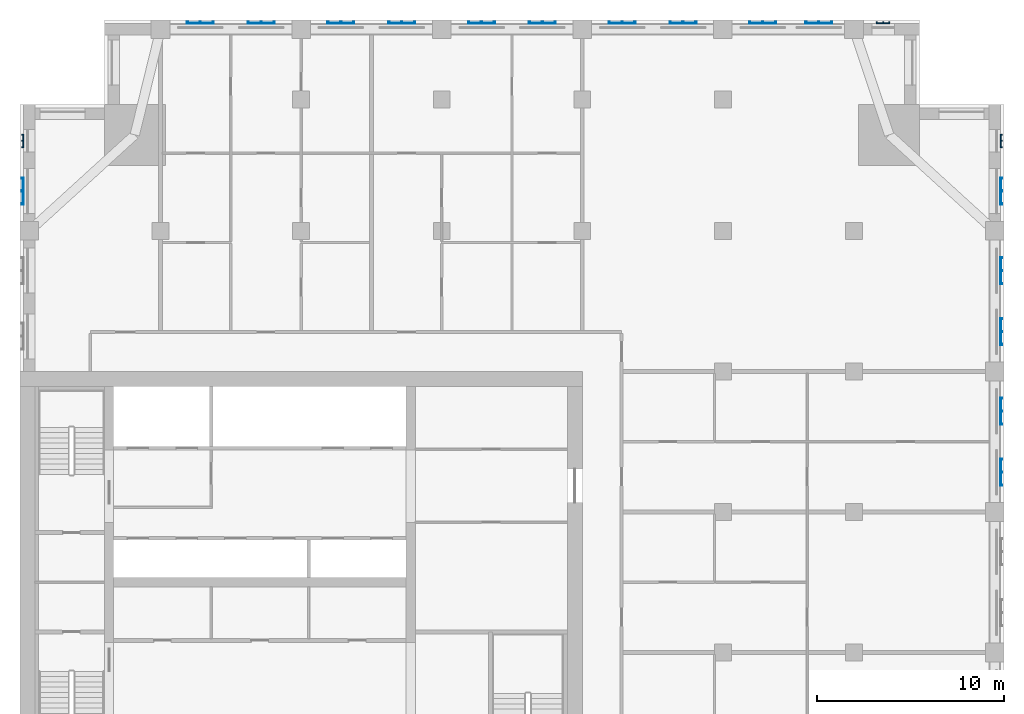
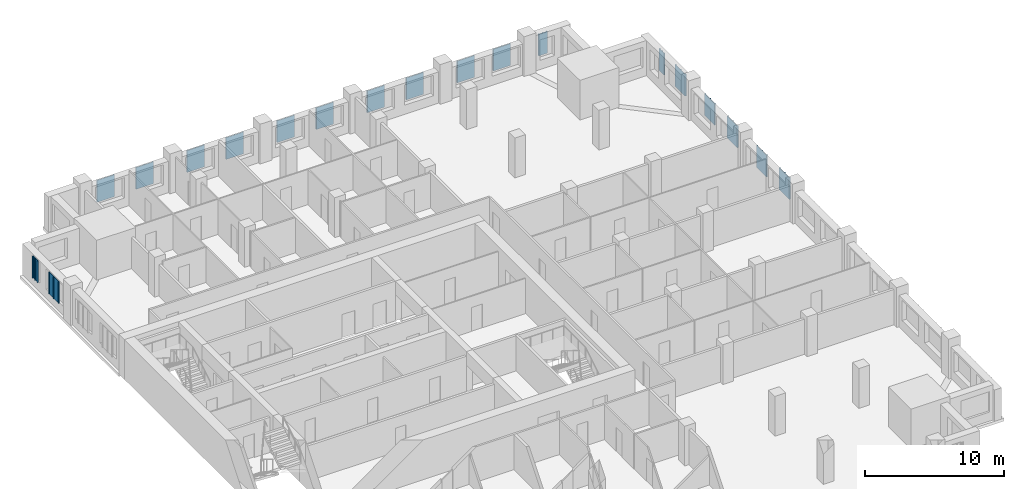
# One storey, part 5 of 14: 19 plates.
"""IFC4 building model written with IfcOpenShell, lengths in metres."""

from ifc_helpers import new_model, si_unit, direction, frame, origin, place, context, subcontext, project, spatial, polyline, outline, extrude, material, layer, layer_set, type_object, element, save


model = new_model("IFC4")

# Units and contexts
model_context = context("Model", 3, precision=1e-05, world=origin(), true_north=direction((0.0, 1.0)))
body_context = subcontext(model_context, "Body", "Model", "MODEL_VIEW")
ifc_project = project(units=[si_unit("LENGTHUNIT", "METRE"), si_unit("AREAUNIT", "SQUARE_METRE"), si_unit("VOLUMEUNIT", "CUBIC_METRE"), si_unit("PLANEANGLEUNIT", "RADIAN"), si_unit("MASSUNIT", "GRAM", prefix="KILO")], contexts=[model_context])

# Site, building, storey
site_placement = place(None, origin())
site = spatial("IfcSite", under=ifc_project, at=site_placement, CompositionType="ELEMENT")
building_placement = place(site_placement, origin())
building = spatial("IfcBuilding", under=site, at=building_placement, Name="Tamorin Gate", CompositionType="ELEMENT")
storey_placement = place(building_placement, frame((0.0, 0.0, 210.699951171875)))
storey = spatial("IfcBuildingStorey", under=building, at=storey_placement, Name="L52", CompositionType="ELEMENT", Elevation=210.699951171875)

# Plates
ifc_material = material(Name="Perforated pale aluminium sheet", Category="aluminium")
ifc_layer_1 = layer(ifc_material, 0.0400390625)
ifc_layer_set_1 = layer_set([ifc_layer_1], Name="Pale metal solar screen 1440")
plate_type_1 = type_object("IfcPlateType", Name="Pale metal solar screen 1440", PredefinedType="SHEET", material=ifc_layer_set_1)
plate_1_placement = place(storey_placement, frame((0.0, 0.0, 0.737548828125)))
element("IfcPlate", 1, at=plate_1_placement, inside=storey, type_object=plate_type_1, Name="Perforated solar screen", PredefinedType="SHEET", context=body_context, shape_type="SweptSolid", body=[
    extrude(outline(polyline([(82.340087890625, 76.405029296875), (82.300048828125, 76.405029296875), (82.300048828125, 76.465087890625), (82.300048828125, 77.094970703125), (82.300048828125, 77.155029296875), (82.300048828125, 77.784912109375), (82.300048828125, 77.844970703125), (82.340087890625, 77.844970703125), (82.39990234375, 77.844970703125), (82.39990234375, 77.784912109375), (82.340087890625, 77.784912109375), (82.340087890625, 77.155029296875), (82.39990234375, 77.155029296875), (82.39990234375, 77.094970703125), (82.340087890625, 77.094970703125), (82.340087890625, 76.465087890625), (82.39990234375, 76.465087890625), (82.39990234375, 76.405029296875), (82.340087890625, 76.405029296875)])), origin(), (0.0, 0.0, 1.0), 1.925048828125),
])
plate_2_placement = place(storey_placement, frame((0.0, 0.0, 0.737548828125)))
element("IfcPlate", 2, at=plate_2_placement, inside=storey, type_object=plate_type_1, Name="Perforated solar screen", PredefinedType="SHEET", context=body_context, shape_type="SweptSolid", body=[
    extrude(outline(polyline([(82.340087890625, 79.655029296875), (82.300048828125, 79.655029296875), (82.300048828125, 79.715087890625), (82.300048828125, 80.344970703125), (82.300048828125, 80.405029296875), (82.300048828125, 81.034912109375), (82.300048828125, 81.094970703125), (82.340087890625, 81.094970703125), (82.39990234375, 81.094970703125), (82.39990234375, 81.034912109375), (82.340087890625, 81.034912109375), (82.340087890625, 80.405029296875), (82.39990234375, 80.405029296875), (82.39990234375, 80.344970703125), (82.340087890625, 80.344970703125), (82.340087890625, 79.715087890625), (82.39990234375, 79.715087890625), (82.39990234375, 79.655029296875), (82.340087890625, 79.655029296875)])), origin(), (0.0, 0.0, 1.0), 1.925048828125),
])
plate_3_placement = place(storey_placement, frame((0.0, 0.0, 0.737548828125)))
element("IfcPlate", 3, at=plate_3_placement, inside=storey, type_object=plate_type_1, Name="Perforated solar screen", PredefinedType="SHEET", context=body_context, shape_type="SweptSolid", body=[
    extrude(outline(polyline([(82.340087890625, 83.905029296875), (82.300048828125, 83.905029296875), (82.300048828125, 83.965087890625), (82.300048828125, 84.594970703125), (82.300048828125, 84.655029296875), (82.300048828125, 85.284912109375), (82.300048828125, 85.344970703125), (82.340087890625, 85.344970703125), (82.39990234375, 85.344970703125), (82.39990234375, 85.284912109375), (82.340087890625, 85.284912109375), (82.340087890625, 84.655029296875), (82.39990234375, 84.655029296875), (82.39990234375, 84.594970703125), (82.340087890625, 84.594970703125), (82.340087890625, 83.965087890625), (82.39990234375, 83.965087890625), (82.39990234375, 83.905029296875), (82.340087890625, 83.905029296875)])), origin(), (0.0, 0.0, 1.0), 1.925048828125),
])
plate_4_placement = place(storey_placement, frame((0.0, 0.0, 0.737548828125)))
element("IfcPlate", 4, at=plate_4_placement, inside=storey, type_object=plate_type_1, Name="Perforated solar screen", PredefinedType="SHEET", context=body_context, shape_type="SweptSolid", body=[
    extrude(outline(polyline([(82.340087890625, 87.155029296875), (82.300048828125, 87.155029296875), (82.300048828125, 87.215087890625), (82.300048828125, 87.844970703125), (82.300048828125, 87.905029296875), (82.300048828125, 88.534912109375), (82.300048828125, 88.594970703125), (82.340087890625, 88.594970703125), (82.39990234375, 88.594970703125), (82.39990234375, 88.534912109375), (82.340087890625, 88.534912109375), (82.340087890625, 87.905029296875), (82.39990234375, 87.905029296875), (82.39990234375, 87.844970703125), (82.340087890625, 87.844970703125), (82.340087890625, 87.215087890625), (82.39990234375, 87.215087890625), (82.39990234375, 87.155029296875), (82.340087890625, 87.155029296875)])), origin(), (0.0, 0.0, 1.0), 1.925048828125),
])
plate_5_placement = place(storey_placement, frame((0.0, 0.0, 0.737548828125)))
element("IfcPlate", 5, at=plate_5_placement, inside=storey, type_object=plate_type_1, Name="Perforated solar screen", PredefinedType="SHEET", context=body_context, shape_type="SweptSolid", body=[
    extrude(outline(polyline([(82.340087890625, 91.405029296875), (82.300048828125, 91.405029296875), (82.300048828125, 91.465087890625), (82.300048828125, 92.094970703125), (82.300048828125, 92.155029296875), (82.300048828125, 92.784912109375), (82.300048828125, 92.844970703125), (82.340087890625, 92.844970703125), (82.39990234375, 92.844970703125), (82.39990234375, 92.784912109375), (82.340087890625, 92.784912109375), (82.340087890625, 92.155029296875), (82.39990234375, 92.155029296875), (82.39990234375, 92.094970703125), (82.340087890625, 92.094970703125), (82.340087890625, 91.465087890625), (82.39990234375, 91.465087890625), (82.39990234375, 91.405029296875), (82.340087890625, 91.405029296875)])), origin(), (0.0, 0.0, 1.0), 1.925048828125),
])
plate_6_placement = place(storey_placement, frame((0.0, 0.0, 0.737548828125)))
element("IfcPlate", 6, at=plate_6_placement, inside=storey, type_object=plate_type_1, Name="Perforated solar screen", PredefinedType="SHEET", context=body_context, shape_type="SweptSolid", body=[
    extrude(outline(polyline([(70.344970703125, 101.090087890625), (70.344970703125, 101.050048828125), (70.284912109375, 101.050048828125), (69.655029296875, 101.050048828125), (69.594970703125, 101.050048828125), (68.965087890625, 101.050048828125), (68.905029296875, 101.050048828125), (68.905029296875, 101.090087890625), (68.905029296875, 101.14990234375), (68.965087890625, 101.14990234375), (68.965087890625, 101.090087890625), (69.594970703125, 101.090087890625), (69.594970703125, 101.14990234375), (69.655029296875, 101.14990234375), (69.655029296875, 101.090087890625), (70.284912109375, 101.090087890625), (70.284912109375, 101.14990234375), (70.344970703125, 101.14990234375), (70.344970703125, 101.090087890625)])), origin(), (0.0, 0.0, 1.0), 1.925048828125),
])
plate_7_placement = place(storey_placement, frame((0.0, 0.0, 0.737548828125)))
element("IfcPlate", 7, at=plate_7_placement, inside=storey, type_object=plate_type_1, Name="Perforated solar screen", PredefinedType="SHEET", context=body_context, shape_type="SweptSolid", body=[
    extrude(outline(polyline([(73.344970703125, 101.090087890625), (73.344970703125, 101.050048828125), (73.284912109375, 101.050048828125), (72.655029296875, 101.050048828125), (72.594970703125, 101.050048828125), (71.965087890625, 101.050048828125), (71.905029296875, 101.050048828125), (71.905029296875, 101.050048828125), (71.905029296875, 101.090087890625), (71.905029296875, 101.090087890625), (71.905029296875, 101.14990234375), (71.965087890625, 101.14990234375), (71.965087890625, 101.090087890625), (72.594970703125, 101.090087890625), (72.594970703125, 101.14990234375), (72.655029296875, 101.14990234375), (72.655029296875, 101.090087890625), (73.284912109375, 101.090087890625), (73.284912109375, 101.14990234375), (73.344970703125, 101.14990234375), (73.344970703125, 101.090087890625)])), origin(), (0.0, 0.0, 1.0), 1.925048828125),
])
plate_8_placement = place(storey_placement, frame((0.0, 0.0, 0.737548828125)))
element("IfcPlate", 8, at=plate_8_placement, inside=storey, type_object=plate_type_1, Name="Perforated solar screen", PredefinedType="SHEET", context=body_context, shape_type="SweptSolid", body=[
    extrude(outline(polyline([(62.844970703125, 101.090087890625), (62.844970703125, 101.050048828125), (62.784912109375, 101.050048828125), (62.155029296875, 101.050048828125), (62.094970703125, 101.050048828125), (61.465087890625, 101.050048828125), (61.405029296875, 101.050048828125), (61.405029296875, 101.090087890625), (61.405029296875, 101.14990234375), (61.465087890625, 101.14990234375), (61.465087890625, 101.090087890625), (62.094970703125, 101.090087890625), (62.094970703125, 101.14990234375), (62.155029296875, 101.14990234375), (62.155029296875, 101.090087890625), (62.784912109375, 101.090087890625), (62.784912109375, 101.14990234375), (62.844970703125, 101.14990234375), (62.844970703125, 101.090087890625)])), origin(), (0.0, 0.0, 1.0), 1.925048828125),
])
plate_9_placement = place(storey_placement, frame((0.0, 0.0, 0.737548828125)))
element("IfcPlate", 9, at=plate_9_placement, inside=storey, type_object=plate_type_1, Name="Perforated solar screen", PredefinedType="SHEET", context=body_context, shape_type="SweptSolid", body=[
    extrude(outline(polyline([(66.094970703125, 101.090087890625), (66.094970703125, 101.050048828125), (66.034912109375, 101.050048828125), (65.405029296875, 101.050048828125), (65.344970703125, 101.050048828125), (64.715087890625, 101.050048828125), (64.655029296875, 101.050048828125), (64.655029296875, 101.090087890625), (64.655029296875, 101.14990234375), (64.715087890625, 101.14990234375), (64.715087890625, 101.090087890625), (65.344970703125, 101.090087890625), (65.344970703125, 101.14990234375), (65.405029296875, 101.14990234375), (65.405029296875, 101.090087890625), (66.034912109375, 101.090087890625), (66.034912109375, 101.14990234375), (66.094970703125, 101.14990234375), (66.094970703125, 101.090087890625)])), origin(), (0.0, 0.0, 1.0), 1.925048828125),
])
plate_10_placement = place(storey_placement, frame((0.0, 0.0, 0.737548828125)))
element("IfcPlate", 10, at=plate_10_placement, inside=storey, type_object=plate_type_1, Name="Perforated solar screen", PredefinedType="SHEET", context=body_context, shape_type="SweptSolid", body=[
    extrude(outline(polyline([(55.344970703125, 101.090087890625), (55.344970703125, 101.050048828125), (55.284912109375, 101.050048828125), (54.655029296875, 101.050048828125), (54.594970703125, 101.050048828125), (53.965087890625, 101.050048828125), (53.905029296875, 101.050048828125), (53.905029296875, 101.090087890625), (53.905029296875, 101.14990234375), (53.965087890625, 101.14990234375), (53.965087890625, 101.090087890625), (54.594970703125, 101.090087890625), (54.594970703125, 101.14990234375), (54.655029296875, 101.14990234375), (54.655029296875, 101.090087890625), (55.284912109375, 101.090087890625), (55.284912109375, 101.14990234375), (55.344970703125, 101.14990234375), (55.344970703125, 101.090087890625)])), origin(), (0.0, 0.0, 1.0), 1.925048828125),
])
plate_11_placement = place(storey_placement, frame((0.0, 0.0, 0.737548828125)))
element("IfcPlate", 11, at=plate_11_placement, inside=storey, type_object=plate_type_1, Name="Perforated solar screen", PredefinedType="SHEET", context=body_context, shape_type="SweptSolid", body=[
    extrude(outline(polyline([(58.594970703125, 101.090087890625), (58.594970703125, 101.050048828125), (58.534912109375, 101.050048828125), (57.905029296875, 101.050048828125), (57.844970703125, 101.050048828125), (57.215087890625, 101.050048828125), (57.155029296875, 101.050048828125), (57.155029296875, 101.090087890625), (57.155029296875, 101.14990234375), (57.215087890625, 101.14990234375), (57.215087890625, 101.090087890625), (57.844970703125, 101.090087890625), (57.844970703125, 101.14990234375), (57.905029296875, 101.14990234375), (57.905029296875, 101.090087890625), (58.534912109375, 101.090087890625), (58.534912109375, 101.14990234375), (58.594970703125, 101.14990234375), (58.594970703125, 101.090087890625)])), origin(), (0.0, 0.0, 1.0), 1.925048828125),
])
plate_12_placement = place(storey_placement, frame((0.0, 0.0, 0.737548828125)))
element("IfcPlate", 12, at=plate_12_placement, inside=storey, type_object=plate_type_1, Name="Perforated solar screen", PredefinedType="SHEET", context=body_context, shape_type="SweptSolid", body=[
    extrude(outline(polyline([(47.844970703125, 101.090087890625), (47.844970703125, 101.050048828125), (47.784912109375, 101.050048828125), (47.155029296875, 101.050048828125), (47.094970703125, 101.050048828125), (46.465087890625, 101.050048828125), (46.405029296875, 101.050048828125), (46.405029296875, 101.090087890625), (46.405029296875, 101.14990234375), (46.465087890625, 101.14990234375), (46.465087890625, 101.090087890625), (47.094970703125, 101.090087890625), (47.094970703125, 101.14990234375), (47.155029296875, 101.14990234375), (47.155029296875, 101.090087890625), (47.784912109375, 101.090087890625), (47.784912109375, 101.14990234375), (47.844970703125, 101.14990234375), (47.844970703125, 101.090087890625)])), origin(), (0.0, 0.0, 1.0), 1.925048828125),
])
plate_13_placement = place(storey_placement, frame((0.0, 0.0, 0.737548828125)))
element("IfcPlate", 13, at=plate_13_placement, inside=storey, type_object=plate_type_1, Name="Perforated solar screen", PredefinedType="SHEET", context=body_context, shape_type="SweptSolid", body=[
    extrude(outline(polyline([(51.094970703125, 101.090087890625), (51.094970703125, 101.050048828125), (51.034912109375, 101.050048828125), (50.405029296875, 101.050048828125), (50.344970703125, 101.050048828125), (49.715087890625, 101.050048828125), (49.655029296875, 101.050048828125), (49.655029296875, 101.090087890625), (49.655029296875, 101.14990234375), (49.715087890625, 101.14990234375), (49.715087890625, 101.090087890625), (50.344970703125, 101.090087890625), (50.344970703125, 101.14990234375), (50.405029296875, 101.14990234375), (50.405029296875, 101.090087890625), (51.034912109375, 101.090087890625), (51.034912109375, 101.14990234375), (51.094970703125, 101.14990234375), (51.094970703125, 101.090087890625)])), origin(), (0.0, 0.0, 1.0), 1.925048828125),
])
plate_14_placement = place(storey_placement, frame((0.0, 0.0, 0.737548828125)))
element("IfcPlate", 14, at=plate_14_placement, inside=storey, type_object=plate_type_1, Name="Perforated solar screen", PredefinedType="SHEET", context=body_context, shape_type="SweptSolid", body=[
    extrude(outline(polyline([(40.344970703125, 101.090087890625), (40.344970703125, 101.050048828125), (40.284912109375, 101.050048828125), (39.655029296875, 101.050048828125), (39.594970703125, 101.050048828125), (38.965087890625, 101.050048828125), (38.905029296875, 101.050048828125), (38.905029296875, 101.090087890625), (38.905029296875, 101.14990234375), (38.965087890625, 101.14990234375), (38.965087890625, 101.090087890625), (39.594970703125, 101.090087890625), (39.594970703125, 101.14990234375), (39.655029296875, 101.14990234375), (39.655029296875, 101.090087890625), (40.284912109375, 101.090087890625), (40.284912109375, 101.14990234375), (40.344970703125, 101.14990234375), (40.344970703125, 101.090087890625)])), origin(), (0.0, 0.0, 1.0), 1.925048828125),
])
plate_15_placement = place(storey_placement, frame((0.0, 0.0, 0.737548828125)))
element("IfcPlate", 15, at=plate_15_placement, inside=storey, type_object=plate_type_1, Name="Perforated solar screen", PredefinedType="SHEET", context=body_context, shape_type="SweptSolid", body=[
    extrude(outline(polyline([(43.594970703125, 101.090087890625), (43.594970703125, 101.050048828125), (43.534912109375, 101.050048828125), (42.905029296875, 101.050048828125), (42.844970703125, 101.050048828125), (42.215087890625, 101.050048828125), (42.155029296875, 101.050048828125), (42.155029296875, 101.090087890625), (42.155029296875, 101.14990234375), (42.215087890625, 101.14990234375), (42.215087890625, 101.090087890625), (42.844970703125, 101.090087890625), (42.844970703125, 101.14990234375), (42.905029296875, 101.14990234375), (42.905029296875, 101.090087890625), (43.534912109375, 101.090087890625), (43.534912109375, 101.14990234375), (43.594970703125, 101.14990234375), (43.594970703125, 101.090087890625)])), origin(), (0.0, 0.0, 1.0), 1.925048828125),
])
plate_16_placement = place(storey_placement, frame((0.0, 0.0, 0.737548828125)))
element("IfcPlate", 16, at=plate_16_placement, inside=storey, type_object=plate_type_1, Name="Perforated solar screen", PredefinedType="SHEET", context=body_context, shape_type="SweptSolid", body=[
    extrude(outline(polyline([(30.159912109375, 92.844970703125), (30.199951171875, 92.844970703125), (30.199951171875, 92.784912109375), (30.199951171875, 92.155029296875), (30.199951171875, 92.094970703125), (30.199951171875, 91.465087890625), (30.199951171875, 91.405029296875), (30.199951171875, 91.405029296875), (30.159912109375, 91.405029296875), (30.159912109375, 91.405029296875), (30.10009765625, 91.405029296875), (30.10009765625, 91.465087890625), (30.159912109375, 91.465087890625), (30.159912109375, 92.094970703125), (30.10009765625, 92.094970703125), (30.10009765625, 92.155029296875), (30.159912109375, 92.155029296875), (30.159912109375, 92.784912109375), (30.10009765625, 92.784912109375), (30.10009765625, 92.844970703125), (30.159912109375, 92.844970703125)])), origin(), (0.0, 0.0, 1.0), 1.925048828125),
])
ifc_layer_2 = layer(ifc_material, 0.0400390625)
ifc_layer_set_2 = layer_set([ifc_layer_2], Name="Pale metal solar screen 720")
plate_type_2 = type_object("IfcPlateType", Name="Pale metal solar screen 720", PredefinedType="SHEET", material=ifc_layer_set_2)
plate_17_placement = place(storey_placement, frame((0.0, 0.0, 0.737548828125)))
element("IfcPlate", 17, at=plate_17_placement, inside=storey, type_object=plate_type_2, Name="Perforated solar screen", PredefinedType="SHEET", context=body_context, shape_type="SweptSolid", body=[
    extrude(outline(polyline([(82.340087890625, 94.43994140625), (82.300048828125, 94.43994140625), (82.300048828125, 94.5), (82.300048828125, 94.77001953125), (82.300048828125, 94.830078125), (82.300048828125, 95.10009765625), (82.300048828125, 95.159912109375), (82.340087890625, 95.159912109375), (82.39990234375, 95.159912109375), (82.39990234375, 95.10009765625), (82.340087890625, 95.10009765625), (82.340087890625, 94.830078125), (82.39990234375, 94.830078125), (82.39990234375, 94.77001953125), (82.340087890625, 94.77001953125), (82.340087890625, 94.5), (82.39990234375, 94.5), (82.39990234375, 94.43994140625), (82.340087890625, 94.43994140625)])), origin(), (0.0, 0.0, 1.0), 1.925048828125),
])
plate_18_placement = place(storey_placement, frame((0.0, 0.0, 0.737548828125)))
element("IfcPlate", 18, at=plate_18_placement, inside=storey, type_object=plate_type_2, Name="Perforated solar screen", PredefinedType="SHEET", context=body_context, shape_type="SweptSolid", body=[
    extrude(outline(polyline([(76.409912109375, 101.090087890625), (76.409912109375, 101.050048828125), (76.35009765625, 101.050048828125), (76.080078125, 101.050048828125), (76.02001953125, 101.050048828125), (75.75, 101.050048828125), (75.68994140625, 101.050048828125), (75.68994140625, 101.090087890625), (75.68994140625, 101.14990234375), (75.75, 101.14990234375), (75.75, 101.090087890625), (76.02001953125, 101.090087890625), (76.02001953125, 101.14990234375), (76.080078125, 101.14990234375), (76.080078125, 101.090087890625), (76.35009765625, 101.090087890625), (76.35009765625, 101.14990234375), (76.409912109375, 101.14990234375), (76.409912109375, 101.090087890625)])), origin(), (0.0, 0.0, 1.0), 1.925048828125),
])
plate_19_placement = place(storey_placement, frame((0.0, 0.0, 0.737548828125)))
element("IfcPlate", 19, at=plate_19_placement, inside=storey, type_object=plate_type_2, Name="Perforated solar screen", PredefinedType="SHEET", context=body_context, shape_type="SweptSolid", body=[
    extrude(outline(polyline([(30.159912109375, 95.159912109375), (30.199951171875, 95.159912109375), (30.199951171875, 95.10009765625), (30.199951171875, 94.830078125), (30.199951171875, 94.77001953125), (30.199951171875, 94.5), (30.199951171875, 94.43994140625), (30.159912109375, 94.43994140625), (30.10009765625, 94.43994140625), (30.10009765625, 94.5), (30.159912109375, 94.5), (30.159912109375, 94.77001953125), (30.10009765625, 94.77001953125), (30.10009765625, 94.830078125), (30.159912109375, 94.830078125), (30.159912109375, 95.10009765625), (30.10009765625, 95.10009765625), (30.10009765625, 95.159912109375), (30.159912109375, 95.159912109375)])), origin(), (0.0, 0.0, 1.0), 1.925048828125),
])

save(model, "model.ifc")
